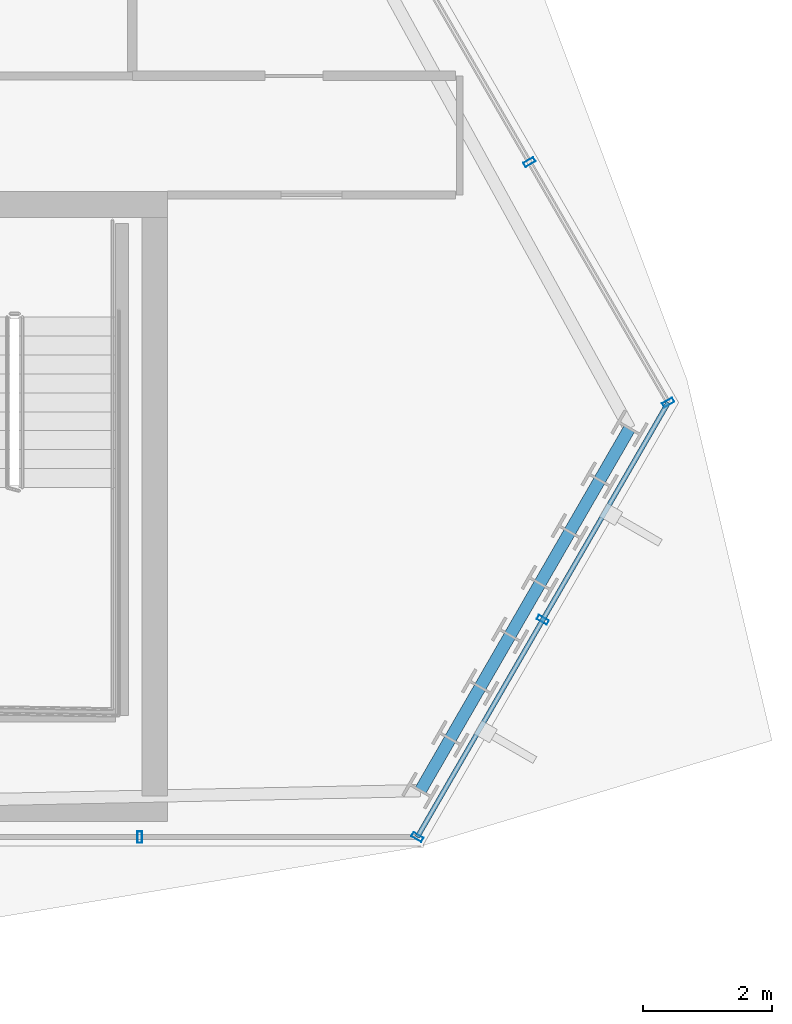
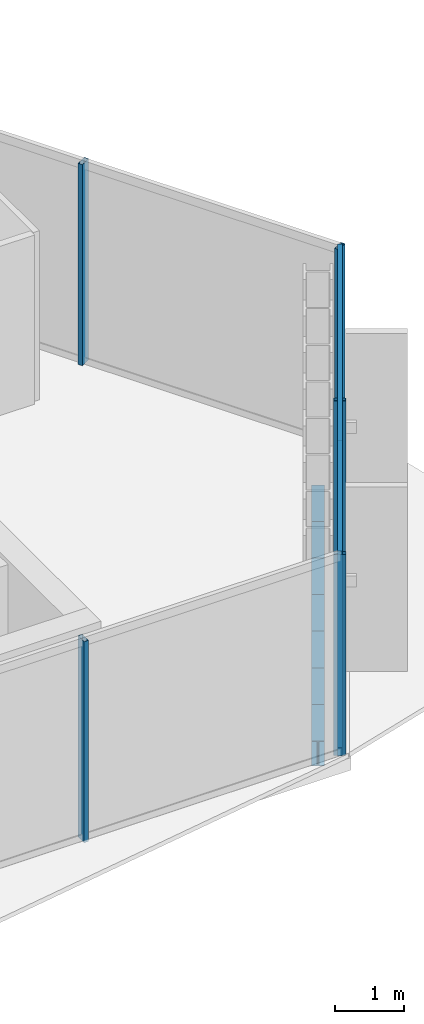
# One storey, part 18 of 37: 7 beams, 7 members, 3 elements without a shape of their own.
"""IFC4 building model written with IfcOpenShell, lengths in metres."""

from ifc_helpers import new_model, si_unit, direction, frame, origin, origin_2d, place, context, subcontext, project, spatial, hollow_rectangle, i_section, extrude, material, layer, layer_set, material_profile, profile_set, type_object, element, aggregate, save


model = new_model("IFC4")

# Units and contexts
model_context = context("Model", 3, precision=1e-05, world=origin(), true_north=direction((0.0, 1.0)))
body_context = subcontext(model_context, "Body", "Model", "MODEL_VIEW")
ifc_project = project(units=[si_unit("LENGTHUNIT", "METRE"), si_unit("AREAUNIT", "SQUARE_METRE"), si_unit("VOLUMEUNIT", "CUBIC_METRE"), si_unit("PLANEANGLEUNIT", "RADIAN"), si_unit("MASSUNIT", "GRAM", prefix="KILO")], contexts=[model_context])

# Site, building, storey
site_placement = place(None, origin())
site = spatial("IfcSite", under=ifc_project, at=site_placement, CompositionType="ELEMENT")
building_placement = place(site_placement, origin())
building = spatial("IfcBuilding", under=site, at=building_placement, Name="Ndaravel Arena Tower", CompositionType="ELEMENT")
storey_placement = place(building_placement, frame((0.0, 0.0, 218.0)))
storey = spatial("IfcBuildingStorey", under=building, at=storey_placement, Name="L52", CompositionType="ELEMENT", Elevation=218.0)

# Beams
ifc_material_1 = material(Name="Steel S355", Category="steel")
ifc_material_profile_1 = material_profile(ifc_material_1, i_section(OverallWidth=0.18994140625, OverallDepth=0.449951171875, WebThickness=0.009521484375, FlangeThickness=0.0146484375, FilletRadius=0.02099609375, at=origin_2d()), Name="IPE 450")
ifc_profile_set_1 = profile_set([ifc_material_profile_1], Name="Steel S355")
beam_type = type_object("IfcBeamType", Name="BM-SPAN-IPE450", PredefinedType="SPANDREL", material=ifc_profile_set_1)
beam_1_placement = place(storey_placement, frame((61.48095703125, 5.88232421875, -0.445068359375), z_axis=(0.499896791762, 0.866084982889, 0.0), x_axis=(-0.866084982889, 0.499896791762, 0.0)))
element("IfcBeam", 1, at=beam_1_placement, inside=storey, type_object=beam_type, Name="L52 Perimeter Spandrel Beam SP-02", PredefinedType="SPANDREL", context=body_context, shape_type="SweptSolid", body=[
    extrude(i_section(OverallWidth=0.18994140625, OverallDepth=0.449951171875, WebThickness=0.009521484375, FlangeThickness=0.0146484375, FilletRadius=0.02099609375, at=origin_2d()), origin(), (0.0, 0.0, 1.0), 0.929443359375),
])
for number, where, z_axis, x_axis, name in (
    (2, (61.945556640625, 6.687255859375, -0.445068359375), (0.500010545262, 0.866019315389, 0.0), (-0.866019315389, 0.500010545262, 0.0), "L52 Perimeter Spandrel Beam SP-03"),
    (3, (62.41015625, 7.491943359375, -0.445068359375), (0.500010545262, 0.866019315389, 0.0), (-0.866019315389, 0.500010545262, 0.0), "L52 Perimeter Spandrel Beam SP-04"),
):
    element("IfcBeam", number, at=place(storey_placement, frame(where, z_axis=z_axis, x_axis=x_axis)), inside=storey, type_object=beam_type, Name=name, PredefinedType="SPANDREL", context=body_context, shape_type="SweptSolid", body=[
        extrude(i_section(OverallWidth=0.18994140625, OverallDepth=0.449951171875, WebThickness=0.009521484375, FlangeThickness=0.0146484375, FilletRadius=0.02099609375, at=origin_2d()), origin(), (0.0, 0.0, 1.0), 0.92919921875),
    ])
beam_2_placement = place(storey_placement, frame((62.874755859375, 8.296630859375, -0.445068359375), z_axis=(0.499896791762, 0.866084982889, 0.0), x_axis=(-0.866084982889, 0.499896791762, 0.0)))
element("IfcBeam", 4, at=beam_2_placement, inside=storey, type_object=beam_type, Name="L52 Perimeter Spandrel Beam SP-05", PredefinedType="SPANDREL", context=body_context, shape_type="SweptSolid", body=[
    extrude(i_section(OverallWidth=0.18994140625, OverallDepth=0.449951171875, WebThickness=0.009521484375, FlangeThickness=0.0146484375, FilletRadius=0.02099609375, at=origin_2d()), origin(), (0.0, 0.0, 1.0), 0.929443359375),
])
for number, where, z_axis, x_axis, name in (
    (5, (63.33935546875, 9.1015625, -0.445068359375), (0.500010545262, 0.866019315389, 0.0), (-0.866019315389, 0.500010545262, 0.0), "L52 Perimeter Spandrel Beam SP-06"),
    (6, (63.803955078125, 9.90625, -0.445068359375), (0.500207565094, 0.865905532852, 0.0), (-0.865905532852, 0.500207565094, 0.0), "L52 Perimeter Spandrel Beam SP-07"),
):
    element("IfcBeam", number, at=place(storey_placement, frame(where, z_axis=z_axis, x_axis=x_axis)), inside=storey, type_object=beam_type, Name=name, PredefinedType="SPANDREL", context=body_context, shape_type="SweptSolid", body=[
        extrude(i_section(OverallWidth=0.18994140625, OverallDepth=0.449951171875, WebThickness=0.009521484375, FlangeThickness=0.0146484375, FilletRadius=0.02099609375, at=origin_2d()), origin(), (0.0, 0.0, 1.0), 0.92919921875),
    ])
beam_3_placement = place(storey_placement, frame((64.268798828125, 10.7109375, -0.445068359375), z_axis=(0.499896791762, 0.866084982889, 0.0), x_axis=(-0.866084982889, 0.499896791762, 0.0)))
element("IfcBeam", 7, at=beam_3_placement, inside=storey, type_object=beam_type, Name="L52 Perimeter Spandrel Beam SP-08", PredefinedType="SPANDREL", context=body_context, shape_type="SweptSolid", body=[
    extrude(i_section(OverallWidth=0.18994140625, OverallDepth=0.449951171875, WebThickness=0.009521484375, FlangeThickness=0.0146484375, FilletRadius=0.02099609375, at=origin_2d()), origin(), (0.0, 0.0, 1.0), 0.929443359375),
])

# Curtain wall, member
ifc_material_2 = material(Name="Aluminium", Category="aluminium")
ifc_layer_1 = layer(ifc_material_2, 0.179931640625)
ifc_layer_set_1 = layer_set([ifc_layer_1], Name="Aluminium")
curtain_wall_type_1 = type_object("IfcCurtainWallType", Name="CW-SYS-03", PredefinedType="NOTDEFINED", material=ifc_layer_set_1)
curtain_wall_1_placement = place(storey_placement, origin())
curtain_wall_1 = element("IfcCurtainWall", 8, at=curtain_wall_1_placement, inside=storey, type_object=curtain_wall_type_1, Name="L52 Faceted Crystal Curtain Wall CW-L52-E01", PredefinedType="NOTDEFINED")
ifc_material_3 = material(Name="Aluminium", Category="aluminium")
ifc_material_profile_2 = material_profile(ifc_material_3, hollow_rectangle(XDim=0.074951171875, YDim=0.179931640625, WallThickness=0.00390625, at=origin_2d()), Name="CW MULLION 75x180x4")
ifc_profile_set_2 = profile_set([ifc_material_profile_2], Name="Aluminium")
member_type_1 = type_object("IfcMemberType", Name="MEM-CW-MUL180", PredefinedType="MULLION", material=ifc_profile_set_2)
member_1_placement = place(storey_placement, frame((57.11474609375, 5.159912109375, 0.0), z_axis=(0.0, 0.0, 1.0), x_axis=(1.0, 0.0, 0.0)))
member_1 = element("IfcMember", 9, at=member_1_placement, type_object=member_type_1, Name="CW-L52-E01 Mullion 08", PredefinedType="MULLION", context=body_context, shape_type="SweptSolid", body=[
    extrude(hollow_rectangle(XDim=0.074951171875, YDim=0.179931640625, WallThickness=0.00390625, at=origin_2d()), origin(), (0.0, 0.0, 1.0), 3.580078125),
])
aggregate(curtain_wall_1, [member_1])

# Curtain wall, members
ifc_material_4 = material(Name="Aluminium", Category="aluminium")
ifc_layer_2 = layer(ifc_material_4, 0.179931640625)
ifc_layer_set_2 = layer_set([ifc_layer_2], Name="Aluminium")
curtain_wall_type_2 = type_object("IfcCurtainWallType", Name="CW-SYS-01", PredefinedType="NOTDEFINED", material=ifc_layer_set_2)
curtain_wall_2_placement = place(storey_placement, origin())
curtain_wall_2 = element("IfcCurtainWall", 10, at=curtain_wall_2_placement, inside=storey, type_object=curtain_wall_type_2, Name="L52 Faceted Crystal Curtain Wall CW-L52-E02", PredefinedType="NOTDEFINED")
member_2_placement = place(storey_placement, frame((61.433349609375, 5.159912109375, 0.0), z_axis=(0.0, 0.0, 1.0), x_axis=(0.5, 0.866025403784, 0.0)))
member_2 = element("IfcMember", 11, at=member_2_placement, type_object=member_type_1, Name="CW-L52-E02 Mullion 00", PredefinedType="MULLION", context=body_context, shape_type="SweptSolid", body=[
    extrude(hollow_rectangle(XDim=0.074951171875, YDim=0.179931640625, WallThickness=0.00390625, at=origin_2d()), origin(), (0.0, 0.0, 1.0), 3.580078125),
])
member_3_placement = place(storey_placement, frame((63.38427734375, 8.5390625, 0.0), z_axis=(0.0, 0.0, 1.0), x_axis=(0.5, 0.866025403784, 0.0)))
member_3 = element("IfcMember", 12, at=member_3_placement, type_object=member_type_1, Name="CW-L52-E02 Mullion 01", PredefinedType="MULLION", context=body_context, shape_type="SweptSolid", body=[
    extrude(hollow_rectangle(XDim=0.074951171875, YDim=0.179931640625, WallThickness=0.00390625, at=origin_2d()), origin(), (0.0, 0.0, 1.0), 3.580078125),
])

curtain_wall_3_placement = place(storey_placement, origin())
curtain_wall_3 = element("IfcCurtainWall", 13, at=curtain_wall_3_placement, inside=storey, type_object=curtain_wall_type_1, Name="L52 Faceted Crystal Curtain Wall CW-L52-E03", PredefinedType="NOTDEFINED")
member_4_placement = place(storey_placement, frame((65.335205078125, 11.918212890625, 0.0), z_axis=(0.0, 0.0, 1.0), x_axis=(-0.5, 0.866025403784, 0.0)))
member_4 = element("IfcMember", 14, at=member_4_placement, type_object=member_type_1, Name="CW-L52-E03 Mullion 00", PredefinedType="MULLION", context=body_context, shape_type="SweptSolid", body=[
    extrude(hollow_rectangle(XDim=0.074951171875, YDim=0.179931640625, WallThickness=0.00390625, at=origin_2d()), origin(), (0.0, 0.0, 1.0), 3.580078125),
])
member_5_placement = place(storey_placement, frame((63.17578125, 15.658203125, 0.0), z_axis=(0.0, 0.0, 1.0), x_axis=(-0.5, 0.866025403784, 0.0)))
member_5 = element("IfcMember", 15, at=member_5_placement, type_object=member_type_1, Name="CW-L52-E03 Mullion 01", PredefinedType="MULLION", context=body_context, shape_type="SweptSolid", body=[
    extrude(hollow_rectangle(XDim=0.074951171875, YDim=0.179931640625, WallThickness=0.00390625, at=origin_2d()), origin(), (0.0, 0.0, 1.0), 3.580078125),
])
aggregate(curtain_wall_3, [member_4, member_5])

# Member
ifc_material_5 = material(Name="Aluminium", Category="aluminium")
ifc_material_profile_3 = material_profile(ifc_material_5, hollow_rectangle(XDim=0.074951171875, YDim=0.14990234375, WallThickness=0.00390625, at=origin_2d()), Name="CW TRANSOM 75x150x4")
ifc_profile_set_3 = profile_set([ifc_material_profile_3], Name="Aluminium")
member_type_2 = type_object("IfcMemberType", Name="MEM-CW-TRN150", PredefinedType="USERDEFINED", material=ifc_profile_set_3)
member_6_placement = place(storey_placement, frame((61.433349609375, 5.159912109375, 0.0400390625), z_axis=(0.499995069063, 0.866028250644, 0.0), x_axis=(-0.866028250644, 0.499995069063, 0.0)))
member_6 = element("IfcMember", 16, at=member_6_placement, type_object=member_type_2, Name="CW-L52-E02 Transom 01", ObjectType="TRANSOM", PredefinedType="USERDEFINED", context=body_context, shape_type="SweptSolid", body=[
    extrude(hollow_rectangle(XDim=0.074951171875, YDim=0.14990234375, WallThickness=0.00390625, at=origin_2d()), origin(), (0.0, 0.0, 1.0), 7.8037109375),
])

member_7_placement = place(storey_placement, frame((61.433349609375, 5.159912109375, 3.5400390625), z_axis=(0.499995069063, 0.866028250644, 0.0), x_axis=(-0.866028250644, 0.499995069063, 0.0)))
member_7 = element("IfcMember", 17, at=member_7_placement, type_object=member_type_2, Name="CW-L52-E02 Transom 02", ObjectType="TRANSOM", PredefinedType="USERDEFINED", context=body_context, shape_type="SweptSolid", body=[
    extrude(hollow_rectangle(XDim=0.074951171875, YDim=0.14990234375, WallThickness=0.00390625, at=origin_2d()), origin(), (0.0, 0.0, 1.0), 7.8037109375),
])

aggregate(curtain_wall_2, [member_2, member_3, member_6, member_7])

save(model, "model.ifc")
